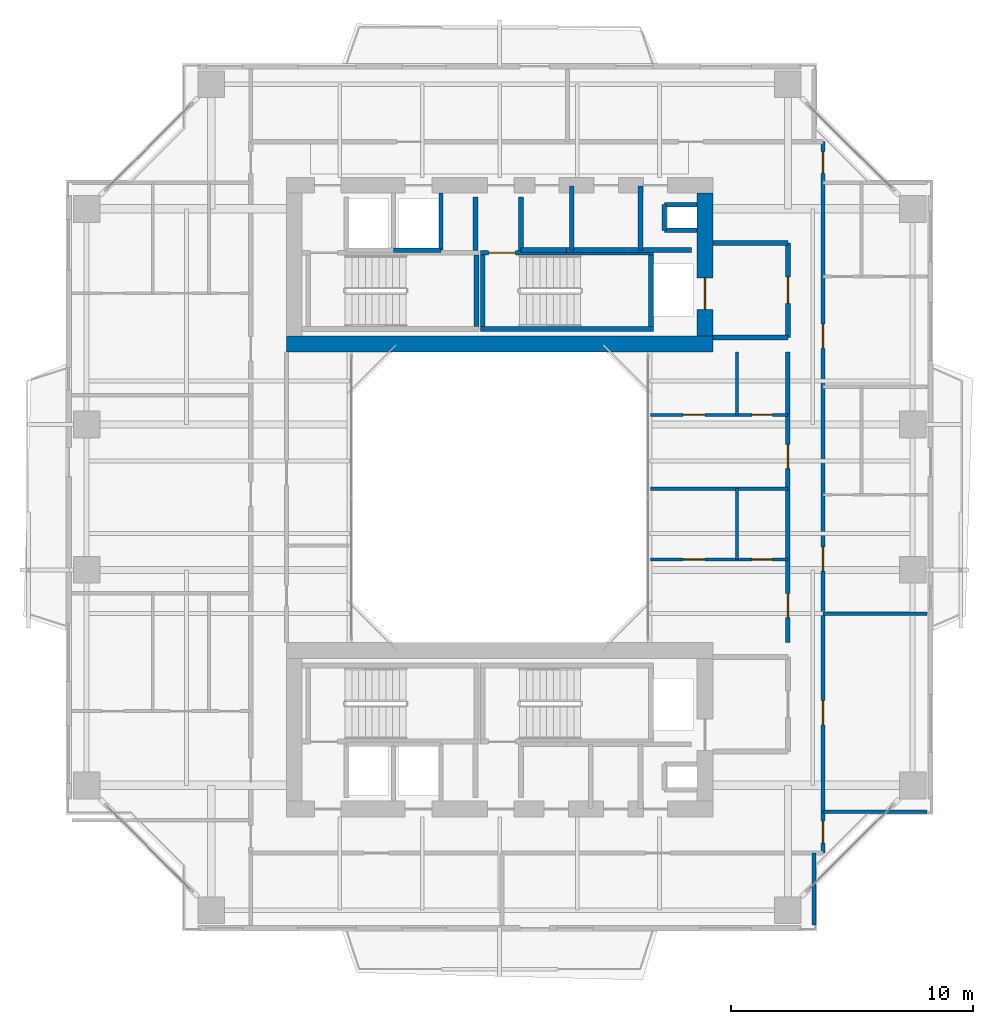
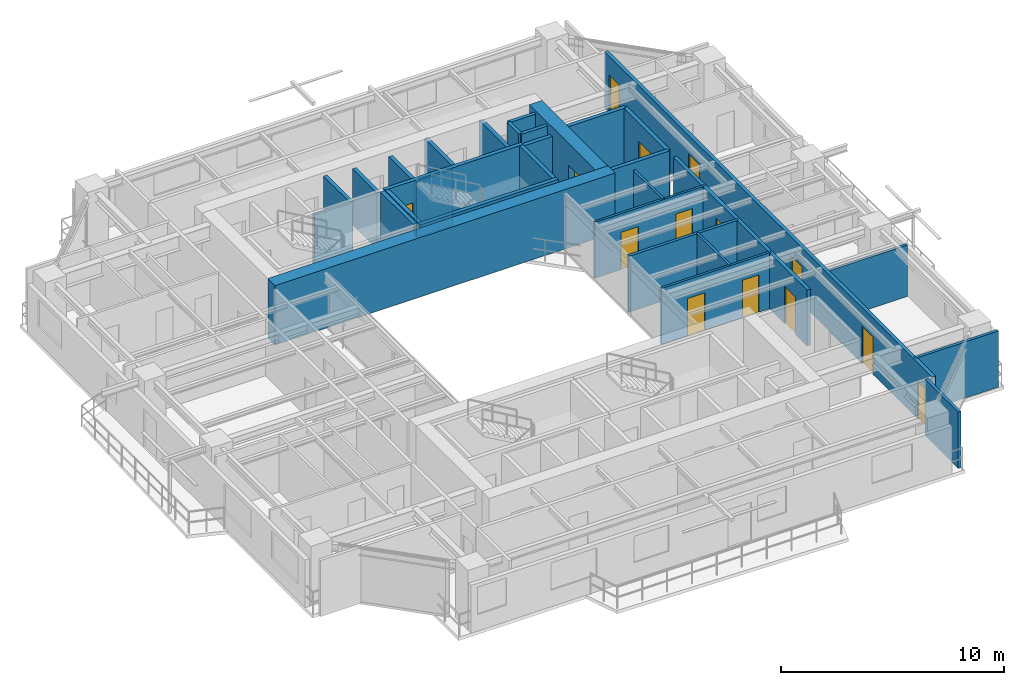
# One storey, part 12 of 17: 31 walls, 14 doors, 14 openings.
"""IFC4 building model written with IfcOpenShell, lengths in metres."""

import ifcopenshell
import ifcopenshell.guid

model = None  # the IFC model being written
_history = None  # IfcOwnerHistory: only IFC2X3 demands one
_inside = {}  # id of a spatial element -> (the spatial element, [elements in it])
_under = {}  # id of a project, library or spatial element -> (it, [spatial elements below it])
_declared = {}  # id of a project -> (the project, [libraries it declares])
_typed = {}  # id of a type object -> (the type object, [elements of that type])
_made_of = {}  # id of a material, layer set ... -> (it, [elements and type objects made of it])


def new_model(schema):
    """Start an empty IFC model of exactly this schema.

    Asked for "IFC4X3", IfcOpenShell would pick the latest addendum, in which some entities
    have other attributes; the version numbers below select the first issue.
    IFC2X3 requires an IfcOwnerHistory on every rooted entity: one is made here for all.
    """
    global model, _history
    if schema == "IFC4X3":
        model = ifcopenshell.file(schema_version=(4, 3, 0, 0))
    else:
        model = ifcopenshell.file(schema=schema)
    _inside.clear()
    _under.clear()
    _declared.clear()
    _typed.clear()
    _made_of.clear()
    _history = None
    if model.schema == "IFC2X3":
        org = make("IfcOrganization", Name="unknown")
        user = make(
            "IfcPersonAndOrganization",
            ThePerson=make("IfcPerson", FamilyName="unknown"),
            TheOrganization=org,
        )
        app = make(
            "IfcApplication",
            ApplicationDeveloper=org,
            Version="unknown",
            ApplicationFullName="unknown",
            ApplicationIdentifier="unknown",
        )
        _history = make(
            "IfcOwnerHistory",
            OwningUser=user,
            OwningApplication=app,
            ChangeAction="ADDED",
            CreationDate=0,
        )
    return model


def make(cls, **values):
    """One entity of the class cls with the attributes given. An attribute that is None is left unset."""
    return model.create_entity(
        cls, **{name: value for name, value in values.items() if value is not None}
    )


def rooted(cls, **values):
    """An entity with a GlobalId (a new one), such as an element, a storey or a relation."""
    return make(cls, GlobalId=ifcopenshell.guid.new(), OwnerHistory=_history, **values)


def si_unit(unit_type, name, prefix=None):
    """IfcSIUnit, for example si_unit("LENGTHUNIT", "METRE", prefix="MILLI")."""
    return make("IfcSIUnit", UnitType=unit_type, Prefix=prefix, Name=name)


def assignment(units):
    """IfcUnitAssignment: the units of a project."""
    return None if units is None else make("IfcUnitAssignment", Units=units)


def point(xyz):
    """IfcCartesianPoint."""
    return None if xyz is None else make("IfcCartesianPoint", Coordinates=xyz)


def direction(xyz):
    """IfcDirection."""
    return None if xyz is None else make("IfcDirection", DirectionRatios=xyz)


def frame(location, z_axis=None, x_axis=None):
    """IfcAxis2Placement3D, a coordinate frame: its origin and axes. An axis left out is left unset."""
    return make(
        "IfcAxis2Placement3D",
        Location=point(location),
        Axis=direction(z_axis),
        RefDirection=direction(x_axis),
    )


def frame_2d(location, x_axis=None):
    """IfcAxis2Placement2D, a coordinate frame in the plane: its origin and x axis."""
    return make(
        "IfcAxis2Placement2D", Location=point(location), RefDirection=direction(x_axis)
    )


def origin():
    """The frame at (0, 0, 0) with its axes left unset."""
    return frame((0.0, 0.0, 0.0))


def place(relative_to, where):
    """IfcLocalPlacement: puts the frame where relative to a parent placement (None: the world)."""
    return make(
        "IfcLocalPlacement", PlacementRelTo=relative_to, RelativePlacement=where
    )


def context(
    kind, dimensions, precision=None, world=None, true_north=None, identifier=None
):
    """IfcGeometricRepresentationContext, for example the 3D "Model" context."""
    return make(
        "IfcGeometricRepresentationContext",
        ContextIdentifier=identifier,
        ContextType=kind,
        CoordinateSpaceDimension=dimensions,
        Precision=precision,
        WorldCoordinateSystem=world,
        TrueNorth=true_north,
    )


def subcontext(parent, identifier, kind, view, scale=None):
    """IfcGeometricRepresentationSubContext, for example "Body" below "Model"."""
    return make(
        "IfcGeometricRepresentationSubContext",
        ContextIdentifier=identifier,
        ContextType=kind,
        ParentContext=parent,
        TargetScale=scale,
        TargetView=view,
    )


def project(units=None, contexts=None):
    """IfcProject with its units and contexts."""
    return rooted(
        "IfcProject",
        Name="project",
        RepresentationContexts=contexts,
        UnitsInContext=assignment(units),
    )


def spatial(cls, under=None, at=None, **own):
    """A site, building, storey or space (cls), placed at a placement, below another one or the project."""
    s = rooted(cls, ObjectPlacement=at, **own)
    if under is not None:
        _under.setdefault(under.id(), (under, []))[1].append(s)
    return s


def profile(cls, at=None, kind="AREA", **sizes):
    """A parametric profile (cls). Its sizes go by their IFC names, for example OverallWidth=200.0."""
    return make(cls, ProfileType=kind, Position=at, **sizes)


def rectangle(**sizes):
    """IfcRectangleProfileDef."""
    return profile("IfcRectangleProfileDef", **sizes)


def extrude(swept, where, along, depth):
    """IfcExtrudedAreaSolid: the profile swept, set in the frame where, extruded along a direction by depth."""
    return make(
        "IfcExtrudedAreaSolid",
        SweptArea=swept,
        Position=where,
        ExtrudedDirection=direction(along),
        Depth=depth,
    )


def shape(context_of_items, identifier, shape_type, items):
    """IfcShapeRepresentation: the items that make up one representation, for example the "Body"."""
    return make(
        "IfcShapeRepresentation",
        ContextOfItems=context_of_items,
        RepresentationIdentifier=identifier,
        RepresentationType=shape_type,
        Items=items,
    )


def source(mapping_origin, context_of_items, identifier, shape_type, items):
    """IfcRepresentationMap: a shape defined once, which mapped items show again and again."""
    return make(
        "IfcRepresentationMap",
        MappingOrigin=mapping_origin,
        MappedRepresentation=shape(context_of_items, identifier, shape_type, items),
    )


def transform(
    local_origin,
    x_axis=None,
    y_axis=None,
    z_axis=None,
    scale=None,
    scale2=None,
    scale3=None,
    uniform=True,
):
    """IfcCartesianTransformationOperator3D, or its non-uniform kind. x_axis, y_axis, z_axis: its Axis1, 2, 3."""
    if uniform:
        return make(
            "IfcCartesianTransformationOperator3D",
            Axis1=direction(x_axis),
            Axis2=direction(y_axis),
            LocalOrigin=point(local_origin),
            Scale=scale,
            Axis3=direction(z_axis),
        )
    return make(
        "IfcCartesianTransformationOperator3DnonUniform",
        Axis1=direction(x_axis),
        Axis2=direction(y_axis),
        LocalOrigin=point(local_origin),
        Scale=scale,
        Axis3=direction(z_axis),
        Scale2=scale2,
        Scale3=scale3,
    )


def mapped(mapping_source, mapping_target):
    """IfcMappedItem: shows the shape of a source again, moved by a transform."""
    return make(
        "IfcMappedItem", MappingSource=mapping_source, MappingTarget=mapping_target
    )


def material(Name=None, Category=None):
    """IfcMaterial."""
    return make("IfcMaterial", Name=Name, Category=Category)


def layer(
    of_material, thickness, ventilated=None, Name=None, Category=None, Priority=None
):
    """IfcMaterialLayer: one layer of a wall or slab, of a material (None: an air gap)."""
    return make(
        "IfcMaterialLayer",
        Material=of_material,
        LayerThickness=thickness,
        IsVentilated=ventilated,
        Name=Name,
        Category=Category,
        Priority=Priority,
    )


def layer_set(layers, Name=None):
    """IfcMaterialLayerSet."""
    return make("IfcMaterialLayerSet", MaterialLayers=layers, LayerSetName=Name)


def made_of(thing, what):
    """Note that an element or type object is made of a material, layer set ...; save() writes the relation."""
    if what is not None:
        _made_of.setdefault(what.id(), (what, []))[1].append(thing)
    return thing


def type_object(cls, material=None, **own):
    """A type object (cls), such as IfcWallType, which elements share."""
    return made_of(rooted(cls, **own), material)


def element(
    cls,
    number,
    at=None,
    inside=None,
    cuts=None,
    type_object=None,
    material=None,
    context=None,
    identifier="Body",
    shape_type=None,
    held_by="IfcProductDefinitionShape",
    body=None,
    shapes=None,
    **own,
):
    """One element of the class cls, such as IfcWall. Its Tag is "e" and its number.

    at: its placement. inside: the storey or other place that contains it. cuts: it is an
    opening in that element (IfcRelVoidsElement). A single representation is given by context,
    identifier, shape_type and body (its items); several are given by shapes. held_by: the class
    of the entity that holds the representations. save() writes the other relations.
    """
    e = rooted(cls, Tag="e%d" % number, ObjectPlacement=at, **own)
    if body is not None:
        shapes = [shape(context, identifier, shape_type, body)]
    if shapes is not None:
        e.Representation = make(held_by, Representations=shapes)
    if inside is not None:
        _inside.setdefault(inside.id(), (inside, []))[1].append(e)
    if cuts is not None:
        rooted(
            "IfcRelVoidsElement", RelatingBuildingElement=cuts, RelatedOpeningElement=e
        )
    if type_object is not None:
        _typed.setdefault(type_object.id(), (type_object, []))[1].append(e)
    return made_of(e, material)


def fill(opening, filler):
    """IfcRelFillsElement: the door or window that sits in an opening."""
    return rooted(
        "IfcRelFillsElement",
        RelatingOpeningElement=opening,
        RelatedBuildingElement=filler,
    )


def aggregate(whole, parts):
    """IfcRelAggregates: a whole, such as a stair, and the parts it consists of."""
    return rooted("IfcRelAggregates", RelatingObject=whole, RelatedObjects=parts)


def save(model, path):
    """Write the relations noted so far, then the file.

    IfcRelAggregates (storeys below a building ...), IfcRelContainedInSpatialStructure (elements
    in a storey), IfcRelDefinesByType, IfcRelAssociatesMaterial and IfcRelDeclares: one each for
    every whole, place, type object, material and project.
    """
    for whole, parts in _under.values():
        aggregate(whole, parts)
    for where, things in _inside.values():
        rooted(
            "IfcRelContainedInSpatialStructure",
            RelatedElements=things,
            RelatingStructure=where,
        )
    for kind, things in _typed.values():
        rooted("IfcRelDefinesByType", RelatedObjects=things, RelatingType=kind)
    for what, things in _made_of.values():
        rooted("IfcRelAssociatesMaterial", RelatedObjects=things, RelatingMaterial=what)
    for by, libraries in _declared.values():
        rooted("IfcRelDeclares", RelatingContext=by, RelatedDefinitions=libraries)
    model.write(path)


model = new_model("IFC4")

# Units and contexts
model_context = context("Model", 3, precision=1e-05, world=origin(), true_north=direction((0.0, 1.0)))
body_context = subcontext(model_context, "Body", "Model", "MODEL_VIEW")
ifc_project = project(units=[si_unit("LENGTHUNIT", "METRE"), si_unit("AREAUNIT", "SQUARE_METRE"), si_unit("VOLUMEUNIT", "CUBIC_METRE"), si_unit("PLANEANGLEUNIT", "RADIAN"), si_unit("MASSUNIT", "GRAM", prefix="KILO"), si_unit("THERMODYNAMICTEMPERATUREUNIT", "KELVIN"), si_unit("POWERUNIT", "WATT")], contexts=[model_context])

# Site, building, storey
site_placement = place(None, origin())
site = spatial("IfcSite", under=ifc_project, at=site_placement, CompositionType="ELEMENT")
building_placement = place(site_placement, origin())
building = spatial("IfcBuilding", under=site, at=building_placement, Name="Qiaomeng Ring Towers", CompositionType="ELEMENT")
storey_placement = place(building_placement, frame((0.0, 0.0, 129.5)))
storey = spatial("IfcBuildingStorey", under=building, at=storey_placement, Name="L37", CompositionType="ELEMENT", Elevation=129.5)

# Walls
ifc_material_1 = material(Name="Autoclaved aerated concrete block", Category="concrete")
ifc_layer_1 = layer(ifc_material_1, 0.199951171875, Name="Autoclaved aerated concrete block")
ifc_layer_set_1 = layer_set([ifc_layer_1], Name="Autoclaved aerated concrete block")
wall_type_1 = type_object("IfcWallType", Name="ARC-WL-PW1", PredefinedType="PARTITIONING", material=ifc_layer_set_1)
for number, where, z_axis, x_axis, name in (
    (1, (27.800048828125, 29.60009765625, 0.0), (0.0, 0.0, 1.0), (1.0, 0.0, 0.0), "L37 Interior Wall PW1"),
    (2, (27.800048828125, 33.5, 0.0), (0.0, 0.0, 1.0), (1.0, 0.0, 0.0), "L37 Interior Wall PW1"),
):
    element("IfcWall", number, at=place(storey_placement, frame(where, z_axis=z_axis, x_axis=x_axis)), inside=storey, type_object=wall_type_1, Name=name, PredefinedType="PARTITIONING", context=body_context, shape_type="SweptSolid", body=[
        extrude(rectangle(XDim=3.099853515625, YDim=0.199951171875, at=frame_2d((1.5498046875, 0.0))), origin(), (0.0, 0.0, 1.0), 3.070068359375),
    ])

# Wall, opening, door
wall_1_placement = place(storey_placement, frame((30.89990234375, 29.60009765625, 0.0), z_axis=(0.0, 0.0, 1.0), x_axis=(0.0, 1.0, 0.0)))
wall_1 = element("IfcWall", 3, at=wall_1_placement, inside=storey, type_object=wall_type_1, Name="L37 Interior Wall PW1", PredefinedType="PARTITIONING", context=body_context, shape_type="SweptSolid", body=[
    extrude(rectangle(XDim=3.89990234375, YDim=0.199951171875, at=frame_2d((1.949951171875, 0.0))), origin(), (0.0, 0.0, 1.0), 3.070068359375),
])
opening_1_placement = place(wall_1_placement, frame((1.39990234375, 0.0, 0.0)))
opening_1 = element("IfcOpeningElement", 4, at=opening_1_placement, cuts=wall_1, Name="Opening FD3", PredefinedType="OPENING", context=body_context, shape_type="SweptSolid", body=[
    extrude(rectangle(XDim=1.10009765625, YDim=2.050048828125, at=frame_2d((0.550048828125, 1.02490234375))), frame((0.0, 0.10986328125, 0.0), z_axis=(0.0, -1.0, 0.0), x_axis=(1.0, 0.0, 0.0)), (0.0, 0.0, 1.0), 0.219970703125),
])
ifc_material_2 = material(Name="Galvanised steel", Category="steel")
door_type_1 = type_object("IfcDoorType", Name="ARC-DR-FD3", OperationType="NOTDEFINED", PredefinedType="DOOR", material=ifc_material_2)
shared_shape_1 = source(origin(), body_context, "Body", "SweptSolid", [
    extrude(rectangle(XDim=1.10009765625, YDim=2.050048828125, at=frame_2d((0.550048828125, 1.02490234375))), frame((0.0, 0.02490234375, 0.0), z_axis=(0.0, -1.0, 0.0), x_axis=(1.0, 0.0, 0.0)), (0.0, 0.0, 1.0), 0.050048828125),
])
door_1_placement = place(opening_1_placement, origin())
door_1 = element("IfcDoor", 5, at=door_1_placement, inside=storey, type_object=door_type_1, Name="L37 North FF Lobby Door", OperationType="SINGLE_SWING_LEFT", OverallHeight=2.050048828125, OverallWidth=1.10009765625, PredefinedType="DOOR", context=body_context, shape_type="MappedRepresentation", body=[
    mapped(shared_shape_1, transform((0.0, 0.0, 0.0), x_axis=(1.0, 0.0, 0.0), y_axis=(0.0, 1.0, 0.0), z_axis=(0.0, 0.0, 1.0), scale=1.0)),
])
fill(opening_1, door_1)

# Walls
for number, where, z_axis, x_axis, name in (
    (6, (18.0, 33.18994140625, 0.0), (0.0, 0.0, 1.0), (0.0, 1.0, 0.0), "L37 Interior Wall PW1"),
    (7, (19.8798828125, 33.18994140625, 0.0), (0.0, 0.0, 1.0), (0.0, 1.0, 0.0), "L37 Interior Wall PW1"),
):
    element("IfcWall", number, at=place(storey_placement, frame(where, z_axis=z_axis, x_axis=x_axis)), inside=storey, type_object=wall_type_1, Name=name, PredefinedType="PARTITIONING", context=body_context, shape_type="SweptSolid", body=[
        extrude(rectangle(XDim=2.2099609375, YDim=0.199951171875, at=frame_2d((1.10498046875, 0.0))), origin(), (0.0, 0.0, 1.0), 3.070068359375),
    ])
wall_2_placement = place(storey_placement, frame((24.820068359375, 33.199951171875, 0.0), z_axis=(0.0, 0.0, 1.0), x_axis=(0.0, 1.0, 0.0)))
element("IfcWall", 8, at=wall_2_placement, inside=storey, type_object=wall_type_1, Name="L37 Interior Wall PW1", PredefinedType="PARTITIONING", context=body_context, shape_type="SweptSolid", body=[
    extrude(rectangle(XDim=2.650146484375, YDim=0.199951171875, at=frame_2d((1.3251953125, 0.0))), origin(), (0.0, 0.0, 1.0), 3.070068359375),
])
wall_3_placement = place(storey_placement, frame((19.8798828125, 33.199951171875, 0.0), z_axis=(0.0, 0.0, 1.0), x_axis=(1.0, 0.0, 0.0)))
element("IfcWall", 9, at=wall_3_placement, inside=storey, type_object=wall_type_1, Name="L37 Interior Wall PW1", PredefinedType="PARTITIONING", context=body_context, shape_type="SweptSolid", body=[
    extrude(rectangle(XDim=1.8701171875, YDim=0.199951171875, at=frame_2d((0.93505859375, 0.0))), origin(), (0.0, 0.0, 1.0), 3.070068359375),
])
wall_4_placement = place(storey_placement, frame((21.97998046875, 33.199951171875, 0.0), z_axis=(0.0, 0.0, 1.0), x_axis=(0.0, 1.0, 0.0)))
element("IfcWall", 10, at=wall_4_placement, inside=storey, type_object=wall_type_1, Name="L37 Interior Wall PW1", PredefinedType="PARTITIONING", context=body_context, shape_type="SweptSolid", body=[
    extrude(rectangle(XDim=2.650146484375, YDim=0.199951171875, at=frame_2d((1.3251953125, 0.0))), origin(), (0.0, 0.0, 1.0), 3.070068359375),
])
wall_5_placement = place(storey_placement, frame((21.75, 33.199951171875, 0.0), z_axis=(0.0, 0.0, 1.0), x_axis=(1.0, 0.0, 0.0)))
element("IfcWall", 11, at=wall_5_placement, inside=storey, type_object=wall_type_1, Name="L37 Interior Wall PW1", PredefinedType="PARTITIONING", context=body_context, shape_type="SweptSolid", body=[
    extrude(rectangle(XDim=5.169921875, YDim=0.199951171875, at=frame_2d((2.5849609375, 0.0))), origin(), (0.0, 0.0, 1.0), 3.070068359375),
])

# Wall, openings, doors
ifc_layer_2 = layer(ifc_material_1, 0.179931640625, Name="Autoclaved aerated concrete block")
ifc_layer_set_2 = layer_set([ifc_layer_2], Name="Autoclaved aerated concrete block")
wall_type_2 = type_object("IfcWallType", Name="ARC-WL-PW2", PredefinedType="PARTITIONING", material=ifc_layer_set_2)
wall_6_placement = place(storey_placement, frame((32.35009765625, 8.31005859375, 0.0), z_axis=(0.0, 0.0, 1.0), x_axis=(0.0, 1.0, 0.0)))
wall_6 = element("IfcWall", 12, at=wall_6_placement, inside=storey, type_object=wall_type_2, Name="L37 Interior Wall PW2", PredefinedType="PARTITIONING", context=body_context, shape_type="SweptSolid", body=[
    extrude(rectangle(XDim=29.369873046875, YDim=0.179931640625, at=frame_2d((14.68505859375, 0.0))), origin(), (0.0, 0.0, 1.0), 3.070068359375),
])
opening_2_placement = place(wall_6_placement, frame((28.06005859375, 0.0, 0.0)))
opening_2 = element("IfcOpeningElement", 13, at=opening_2_placement, cuts=wall_6, Name="Opening ID1", PredefinedType="OPENING", context=body_context, shape_type="SweptSolid", body=[
    extrude(rectangle(XDim=0.89990234375, YDim=2.050048828125, at=frame_2d((0.449951171875, 1.02490234375))), frame((0.0, 0.099853515625, 0.0), z_axis=(0.0, -1.0, 0.0), x_axis=(1.0, 0.0, 0.0)), (0.0, 0.0, 1.0), 0.199951171875),
])
opening_3_placement = place(wall_6_placement, frame((0.4150390625, 0.0, 0.0)))
opening_3 = element("IfcOpeningElement", 14, at=opening_3_placement, cuts=wall_6, Name="Opening ID1", PredefinedType="OPENING", context=body_context, shape_type="SweptSolid", body=[
    extrude(rectangle(XDim=0.89990234375, YDim=2.050048828125, at=frame_2d((0.449951171875, 1.02490234375))), frame((0.0, 0.099853515625, 0.0), z_axis=(0.0, -1.0, 0.0), x_axis=(1.0, 0.0, 0.0)), (0.0, 0.0, 1.0), 0.199951171875),
])
opening_4_placement = place(wall_6_placement, frame((5.294921875, 0.0, 0.0)))
opening_4 = element("IfcOpeningElement", 15, at=opening_4_placement, cuts=wall_6, Name="Opening FD4", PredefinedType="OPENING", context=body_context, shape_type="SweptSolid", body=[
    extrude(rectangle(XDim=1.0, YDim=2.050048828125, at=frame_2d((0.5, 1.02490234375))), frame((0.0, 0.099853515625, 0.0), z_axis=(0.0, -1.0, 0.0), x_axis=(1.0, 0.0, 0.0)), (0.0, 0.0, 1.0), 0.199951171875),
])
opening_5_placement = place(wall_6_placement, frame((11.64501953125, 0.0, 0.0)))
opening_5 = element("IfcOpeningElement", 16, at=opening_5_placement, cuts=wall_6, Name="Opening FD4", PredefinedType="OPENING", context=body_context, shape_type="SweptSolid", body=[
    extrude(rectangle(XDim=1.0, YDim=2.050048828125, at=frame_2d((0.5, 1.02490234375))), frame((0.0, 0.099853515625, 0.0), z_axis=(0.0, -1.0, 0.0), x_axis=(1.0, 0.0, 0.0)), (0.0, 0.0, 1.0), 0.199951171875),
])
opening_6_placement = place(wall_6_placement, frame((20.8349609375, 0.0, 0.0)))
opening_6 = element("IfcOpeningElement", 17, at=opening_6_placement, cuts=wall_6, Name="Opening FD4", PredefinedType="OPENING", context=body_context, shape_type="SweptSolid", body=[
    extrude(rectangle(XDim=1.0, YDim=2.050048828125, at=frame_2d((0.5, 1.02490234375))), frame((0.0, 0.099853515625, 0.0), z_axis=(0.0, -1.0, 0.0), x_axis=(1.0, 0.0, 0.0)), (0.0, 0.0, 1.0), 0.199951171875),
])
ifc_material_3 = material(Name="Engineered fire-rated oak timber", Category="wood")
door_type_2 = type_object("IfcDoorType", Name="ARC-DR-FD4", OperationType="NOTDEFINED", PredefinedType="DOOR", material=ifc_material_3)
shared_shape_2 = source(origin(), body_context, "Body", "SweptSolid", [
    extrude(rectangle(XDim=1.0, YDim=2.050048828125, at=frame_2d((0.5, 1.02490234375))), frame((0.0, 0.02490234375, 0.0), z_axis=(0.0, -1.0, 0.0), x_axis=(1.0, 0.0, 0.0)), (0.0, 0.0, 1.0), 0.050048828125),
])
door_2_placement = place(opening_4_placement, origin())
door_2 = element("IfcDoor", 18, at=door_2_placement, inside=storey, type_object=door_type_2, Name="L37 Door FD4", OperationType="SINGLE_SWING_RIGHT", OverallHeight=2.050048828125, OverallWidth=1.0, PredefinedType="DOOR", context=body_context, shape_type="MappedRepresentation", body=[
    mapped(shared_shape_2, transform((0.0, 0.0, 0.0), x_axis=(1.0, 0.0, 0.0), y_axis=(0.0, 1.0, 0.0), z_axis=(0.0, 0.0, 1.0), scale=1.0)),
])
fill(opening_4, door_2)
door_3_placement = place(opening_5_placement, origin())
door_3 = element("IfcDoor", 19, at=door_3_placement, inside=storey, type_object=door_type_2, Name="L37 Door FD4", OperationType="SINGLE_SWING_LEFT", OverallHeight=2.050048828125, OverallWidth=1.0, PredefinedType="DOOR", context=body_context, shape_type="MappedRepresentation", body=[
    mapped(shared_shape_2, transform((0.0, 0.0, 0.0), x_axis=(1.0, 0.0, 0.0), y_axis=(0.0, 1.0, 0.0), z_axis=(0.0, 0.0, 1.0), scale=1.0)),
])
fill(opening_5, door_3)
door_4_placement = place(opening_6_placement, origin())
door_4 = element("IfcDoor", 20, at=door_4_placement, inside=storey, type_object=door_type_2, Name="L37 Door FD4", OperationType="SINGLE_SWING_RIGHT", OverallHeight=2.050048828125, OverallWidth=1.0, PredefinedType="DOOR", context=body_context, shape_type="MappedRepresentation", body=[
    mapped(shared_shape_2, transform((0.0, 0.0, 0.0), x_axis=(1.0, 0.0, 0.0), y_axis=(0.0, 1.0, 0.0), z_axis=(0.0, 0.0, 1.0), scale=1.0)),
])
fill(opening_6, door_4)
ifc_material_4 = material(Name="Engineered oak timber", Category="wood")
door_type_3 = type_object("IfcDoorType", Name="ARC-DR-ID1", OperationType="NOTDEFINED", PredefinedType="DOOR", material=ifc_material_4)
shared_shape_3 = source(origin(), body_context, "Body", "SweptSolid", [
    extrude(rectangle(XDim=0.89990234375, YDim=2.050048828125, at=frame_2d((0.449951171875, 1.02490234375))), frame((0.0, 0.02490234375, 0.0), z_axis=(0.0, -1.0, 0.0), x_axis=(1.0, 0.0, 0.0)), (0.0, 0.0, 1.0), 0.050048828125),
])
door_5_placement = place(opening_2_placement, origin())
door_5 = element("IfcDoor", 21, at=door_5_placement, inside=storey, type_object=door_type_3, Name="L37 Door ID1", OperationType="SINGLE_SWING_RIGHT", OverallHeight=2.050048828125, OverallWidth=0.89990234375, PredefinedType="DOOR", context=body_context, shape_type="MappedRepresentation", body=[
    mapped(shared_shape_3, transform((0.0, 0.0, 0.0), x_axis=(1.0, 0.0, 0.0), y_axis=(0.0, 1.0, 0.0), z_axis=(0.0, 0.0, 1.0), scale=1.0)),
])
fill(opening_2, door_5)
door_6_placement = place(opening_3_placement, origin())
door_6 = element("IfcDoor", 22, at=door_6_placement, inside=storey, type_object=door_type_3, Name="L37 Door ID1", OperationType="SINGLE_SWING_LEFT", OverallHeight=2.050048828125, OverallWidth=0.89990234375, PredefinedType="DOOR", context=body_context, shape_type="MappedRepresentation", body=[
    mapped(shared_shape_3, transform((0.0, 0.0, 0.0), x_axis=(1.0, 0.0, 0.0), y_axis=(0.0, 1.0, 0.0), z_axis=(0.0, 0.0, 1.0), scale=1.0)),
])
fill(opening_3, door_6)

wall_7_placement = place(storey_placement, frame((30.89990234375, 17.0, 0.0), z_axis=(0.0, 0.0, 1.0), x_axis=(0.0, 1.0, 0.0)))
wall_7 = element("IfcWall", 23, at=wall_7_placement, inside=storey, type_object=wall_type_2, Name="L37 Interior Wall PW2", PredefinedType="PARTITIONING", context=body_context, shape_type="SweptSolid", body=[
    extrude(rectangle(XDim=12.0, YDim=0.179931640625, at=frame_2d((6.0, 0.0))), origin(), (0.0, 0.0, 1.0), 3.070068359375),
])
opening_7_placement = place(wall_7_placement, frame((1.02490234375, 0.0, 0.0)))
opening_7 = element("IfcOpeningElement", 24, at=opening_7_placement, cuts=wall_7, Name="Opening FD4", PredefinedType="OPENING", context=body_context, shape_type="SweptSolid", body=[
    extrude(rectangle(XDim=1.0, YDim=2.050048828125, at=frame_2d((0.5, 1.02490234375))), frame((0.0, 0.099853515625, 0.0), z_axis=(0.0, -1.0, 0.0), x_axis=(1.0, 0.0, 0.0)), (0.0, 0.0, 1.0), 0.199951171875),
])
opening_8_placement = place(wall_7_placement, frame((7.18505859375, 0.0, 0.0)))
opening_8 = element("IfcOpeningElement", 25, at=opening_8_placement, cuts=wall_7, Name="Opening FD4", PredefinedType="OPENING", context=body_context, shape_type="SweptSolid", body=[
    extrude(rectangle(XDim=1.0, YDim=2.050048828125, at=frame_2d((0.5, 1.02490234375))), frame((0.0, 0.099853515625, 0.0), z_axis=(0.0, -1.0, 0.0), x_axis=(1.0, 0.0, 0.0)), (0.0, 0.0, 1.0), 0.199951171875),
])
door_7_placement = place(opening_7_placement, origin())
door_7 = element("IfcDoor", 26, at=door_7_placement, inside=storey, type_object=door_type_2, Name="L37 Door FD4", OperationType="SINGLE_SWING_LEFT", OverallHeight=2.050048828125, OverallWidth=1.0, PredefinedType="DOOR", context=body_context, shape_type="MappedRepresentation", body=[
    mapped(shared_shape_2, transform((0.0, 0.0, 0.0), x_axis=(1.0, 0.0, 0.0), y_axis=(0.0, 1.0, 0.0), z_axis=(0.0, 0.0, 1.0), scale=1.0)),
])
fill(opening_7, door_7)
door_8_placement = place(opening_8_placement, origin())
door_8 = element("IfcDoor", 27, at=door_8_placement, inside=storey, type_object=door_type_2, Name="L37 Door FD4", OperationType="SINGLE_SWING_RIGHT", OverallHeight=2.050048828125, OverallWidth=1.0, PredefinedType="DOOR", context=body_context, shape_type="MappedRepresentation", body=[
    mapped(shared_shape_2, transform((0.0, 0.0, 0.0), x_axis=(1.0, 0.0, 0.0), y_axis=(0.0, 1.0, 0.0), z_axis=(0.0, 0.0, 1.0), scale=1.0)),
])
fill(opening_8, door_8)

# Walls
ifc_material_5 = material(Name="Gypsum fireboard steel-stud partition", Category="steel")
ifc_layer_3 = layer(ifc_material_5, 0.14990234375, Name="Gypsum fireboard steel-stud partition")
ifc_layer_set_3 = layer_set([ifc_layer_3], Name="Gypsum fireboard steel-stud partition")
wall_type_3 = type_object("IfcWallType", Name="ARC-WL-PW3", PredefinedType="PARTITIONING", material=ifc_layer_set_3)
wall_8_placement = place(storey_placement, frame((31.97998046875, 5.35009765625, 0.0), z_axis=(0.0, 0.0, 1.0), x_axis=(0.0, 1.0, 0.0)))
element("IfcWall", 28, at=wall_8_placement, inside=storey, type_object=wall_type_3, Name="L37 Interior Wall PW3", PredefinedType="PARTITIONING", context=body_context, shape_type="SweptSolid", body=[
    extrude(rectangle(XDim=2.9599609375, YDim=0.14990234375, at=frame_2d((1.47998046875, 0.0))), origin(), (0.0, 0.0, 1.0), 3.070068359375),
])
wall_9_placement = place(storey_placement, frame((32.35009765625, 10.02001953125, 0.0), z_axis=(0.0, 0.0, 1.0), x_axis=(1.0, 0.0, 0.0)))
element("IfcWall", 29, at=wall_9_placement, inside=storey, type_object=wall_type_3, Name="L37 Interior Wall PW3", PredefinedType="PARTITIONING", context=body_context, shape_type="SweptSolid", body=[
    extrude(rectangle(XDim=4.2998046875, YDim=0.14990234375, at=frame_2d((2.14990234375, 0.0))), origin(), (0.0, 0.0, 1.0), 3.070068359375),
])
wall_10_placement = place(storey_placement, frame((32.35009765625, 18.18994140625, 0.0), z_axis=(0.0, 0.0, 1.0), x_axis=(1.0, 0.0, 0.0)))
element("IfcWall", 30, at=wall_10_placement, inside=storey, type_object=wall_type_3, Name="L37 Interior Wall PW3", PredefinedType="PARTITIONING", context=body_context, shape_type="SweptSolid", body=[
    extrude(rectangle(XDim=4.2998046875, YDim=0.14990234375, at=frame_2d((2.14990234375, 0.0))), origin(), (0.0, 0.0, 1.0), 2.821044921875),
])
wall_11_placement = place(storey_placement, frame((25.219970703125, 23.35009765625, 0.0), z_axis=(0.0, 0.0, 1.0), x_axis=(1.0, 0.0, 0.0)))
element("IfcWall", 31, at=wall_11_placement, inside=storey, type_object=wall_type_3, Name="L37 Interior Wall PW3", PredefinedType="PARTITIONING", context=body_context, shape_type="SweptSolid", body=[
    extrude(rectangle(XDim=5.679931640625, YDim=0.14990234375, at=frame_2d((2.83984375, 0.0))), origin(), (0.0, 0.0, 1.0), 3.070068359375),
])

# Wall, openings, doors
ifc_material_6 = material(Name="Moisture-resistant gypsum steel-stud partition", Category="steel")
ifc_layer_4 = layer(ifc_material_6, 0.1201171875, Name="Moisture-resistant gypsum steel-stud partition")
ifc_layer_set_4 = layer_set([ifc_layer_4], Name="Moisture-resistant gypsum steel-stud partition")
wall_type_4 = type_object("IfcWallType", Name="ARC-WL-PW4", PredefinedType="PLUMBINGWALL", material=ifc_layer_set_4)
wall_12_placement = place(storey_placement, frame((25.219970703125, 20.429931640625, 0.0), z_axis=(0.0, 0.0, 1.0), x_axis=(1.0, 0.0, 0.0)))
wall_12 = element("IfcWall", 32, at=wall_12_placement, inside=storey, type_object=wall_type_4, Name="L37 Interior Wall PW4", PredefinedType="PLUMBINGWALL", context=body_context, shape_type="SweptSolid", body=[
    extrude(rectangle(XDim=5.679931640625, YDim=0.1201171875, at=frame_2d((2.83984375, 0.0))), origin(), (0.0, 0.0, 1.0), 3.070068359375),
])
opening_9_placement = place(wall_12_placement, frame((1.35009765625, 0.0, 0.0)))
opening_9 = element("IfcOpeningElement", 33, at=opening_9_placement, cuts=wall_12, Name="Opening ID1", PredefinedType="OPENING", context=body_context, shape_type="SweptSolid", body=[
    extrude(rectangle(XDim=0.89990234375, YDim=2.050048828125, at=frame_2d((0.449951171875, 1.02490234375))), frame((0.0, 0.070068359375, 0.0), z_axis=(0.0, -1.0, 0.0), x_axis=(1.0, 0.0, 0.0)), (0.0, 0.0, 1.0), 0.14013671875),
])
opening_10_placement = place(wall_12_placement, frame((4.195068359375, 0.0, 0.0)))
opening_10 = element("IfcOpeningElement", 34, at=opening_10_placement, cuts=wall_12, Name="Opening ID2", PredefinedType="OPENING", context=body_context, shape_type="SweptSolid", body=[
    extrude(rectangle(XDim=0.85009765625, YDim=2.050048828125, at=frame_2d((0.425048828125, 1.02490234375))), frame((0.0, 0.070068359375, 0.0), z_axis=(0.0, -1.0, 0.0), x_axis=(1.0, 0.0, 0.0)), (0.0, 0.0, 1.0), 0.14013671875),
])
ifc_material_7 = material(Name="Moisture-resistant engineered timber", Category="wood")
door_type_4 = type_object("IfcDoorType", Name="ARC-DR-ID2", OperationType="NOTDEFINED", PredefinedType="DOOR", material=ifc_material_7)
shared_shape_4 = source(origin(), body_context, "Body", "SweptSolid", [
    extrude(rectangle(XDim=0.85009765625, YDim=2.050048828125, at=frame_2d((0.425048828125, 1.02490234375))), frame((0.0, 0.02490234375, 0.0), z_axis=(0.0, -1.0, 0.0), x_axis=(1.0, 0.0, 0.0)), (0.0, 0.0, 1.0), 0.050048828125),
])
door_9_placement = place(opening_10_placement, origin())
door_9 = element("IfcDoor", 35, at=door_9_placement, inside=storey, type_object=door_type_4, Name="L37 Door ID2", OperationType="SINGLE_SWING_RIGHT", OverallHeight=2.050048828125, OverallWidth=0.85009765625, PredefinedType="DOOR", context=body_context, shape_type="MappedRepresentation", body=[
    mapped(shared_shape_4, transform((0.0, 0.0, 0.0), x_axis=(1.0, 0.0, 0.0), y_axis=(0.0, 1.0, 0.0), z_axis=(0.0, 0.0, 1.0), scale=1.0)),
])
fill(opening_10, door_9)
door_10_placement = place(opening_9_placement, origin())
door_10 = element("IfcDoor", 36, at=door_10_placement, inside=storey, type_object=door_type_3, Name="L37 Door ID1", OperationType="SINGLE_SWING_LEFT", OverallHeight=2.050048828125, OverallWidth=0.89990234375, PredefinedType="DOOR", context=body_context, shape_type="MappedRepresentation", body=[
    mapped(shared_shape_3, transform((0.0, 0.0, 0.0), x_axis=(1.0, 0.0, 0.0), y_axis=(0.0, 1.0, 0.0), z_axis=(0.0, 0.0, 1.0), scale=1.0)),
])
fill(opening_9, door_10)

# Wall
wall_13_placement = place(storey_placement, frame((28.800048828125, 20.429931640625, 0.0), z_axis=(0.0, 0.0, 1.0), x_axis=(0.0, 1.0, 0.0)))
element("IfcWall", 37, at=wall_13_placement, inside=storey, type_object=wall_type_4, Name="L37 Interior Wall PW4", PredefinedType="PLUMBINGWALL", context=body_context, shape_type="SweptSolid", body=[
    extrude(rectangle(XDim=2.920166015625, YDim=0.1201171875, at=frame_2d((1.4599609375, 0.0))), origin(), (0.0, 0.0, 1.0), 3.070068359375),
])

# Wall, openings, doors
wall_14_placement = place(storey_placement, frame((25.219970703125, 26.39990234375, 0.0), z_axis=(0.0, 0.0, 1.0), x_axis=(1.0, 0.0, 0.0)))
wall_14 = element("IfcWall", 38, at=wall_14_placement, inside=storey, type_object=wall_type_4, Name="L37 Interior Wall PW4", PredefinedType="PLUMBINGWALL", context=body_context, shape_type="SweptSolid", body=[
    extrude(rectangle(XDim=5.679931640625, YDim=0.1201171875, at=frame_2d((2.83984375, 0.0))), origin(), (0.0, 0.0, 1.0), 3.070068359375),
])
opening_11_placement = place(wall_14_placement, frame((1.35009765625, 0.0, 0.0)))
opening_11 = element("IfcOpeningElement", 39, at=opening_11_placement, cuts=wall_14, Name="Opening ID1", PredefinedType="OPENING", context=body_context, shape_type="SweptSolid", body=[
    extrude(rectangle(XDim=0.89990234375, YDim=2.050048828125, at=frame_2d((0.449951171875, 1.02490234375))), frame((0.0, 0.070068359375, 0.0), z_axis=(0.0, -1.0, 0.0), x_axis=(1.0, 0.0, 0.0)), (0.0, 0.0, 1.0), 0.14013671875),
])
opening_12_placement = place(wall_14_placement, frame((4.195068359375, 0.0, 0.0)))
opening_12 = element("IfcOpeningElement", 40, at=opening_12_placement, cuts=wall_14, Name="Opening ID2", PredefinedType="OPENING", context=body_context, shape_type="SweptSolid", body=[
    extrude(rectangle(XDim=0.85009765625, YDim=2.050048828125, at=frame_2d((0.425048828125, 1.02490234375))), frame((0.0, 0.070068359375, 0.0), z_axis=(0.0, -1.0, 0.0), x_axis=(1.0, 0.0, 0.0)), (0.0, 0.0, 1.0), 0.14013671875),
])
door_11_placement = place(opening_12_placement, origin())
door_11 = element("IfcDoor", 41, at=door_11_placement, inside=storey, type_object=door_type_4, Name="L37 Door ID2", OperationType="SINGLE_SWING_RIGHT", OverallHeight=2.050048828125, OverallWidth=0.85009765625, PredefinedType="DOOR", context=body_context, shape_type="MappedRepresentation", body=[
    mapped(shared_shape_4, transform((0.0, 0.0, 0.0), x_axis=(1.0, 0.0, 0.0), y_axis=(0.0, 1.0, 0.0), z_axis=(0.0, 0.0, 1.0), scale=1.0)),
])
fill(opening_12, door_11)
door_12_placement = place(opening_11_placement, origin())
door_12 = element("IfcDoor", 42, at=door_12_placement, inside=storey, type_object=door_type_3, Name="L37 Door ID1", OperationType="SINGLE_SWING_LEFT", OverallHeight=2.050048828125, OverallWidth=0.89990234375, PredefinedType="DOOR", context=body_context, shape_type="MappedRepresentation", body=[
    mapped(shared_shape_3, transform((0.0, 0.0, 0.0), x_axis=(1.0, 0.0, 0.0), y_axis=(0.0, 1.0, 0.0), z_axis=(0.0, 0.0, 1.0), scale=1.0)),
])
fill(opening_11, door_12)

# Walls
wall_15_placement = place(storey_placement, frame((28.800048828125, 26.39990234375, 0.0), z_axis=(0.0, 0.0, 1.0), x_axis=(0.0, 1.0, 0.0)))
element("IfcWall", 43, at=wall_15_placement, inside=storey, type_object=wall_type_4, Name="L37 Interior Wall PW4", PredefinedType="PLUMBINGWALL", context=body_context, shape_type="SweptSolid", body=[
    extrude(rectangle(XDim=2.60009765625, YDim=0.1201171875, at=frame_2d((1.300048828125, 0.0))), origin(), (0.0, 0.0, 1.0), 3.070068359375),
])
ifc_material_8 = material(Name="Concrete C40", Category="concrete")
ifc_layer_5 = layer(ifc_material_8, 0.199951171875, Name="Concrete C40")
ifc_layer_set_5 = layer_set([ifc_layer_5], Name="Concrete C40")
wall_type_5 = type_object("IfcWallType", Name="STR-WL-STSHAFT", PredefinedType="SHEAR", material=ifc_layer_set_5)
wall_16_placement = place(storey_placement, frame((25.800048828125, 34.02001953125, 0.0), z_axis=(0.0, 0.0, 1.0), x_axis=(0.0, 1.0, 0.0)))
element("IfcWall", 44, at=wall_16_placement, inside=storey, type_object=wall_type_5, Name="L37 Riser RSR1 West Shaft Wall N", PredefinedType="SHEAR", context=body_context, shape_type="SweptSolid", body=[
    extrude(rectangle(XDim=1.06005859375, YDim=0.179931640625, at=frame_2d((0.530029296875, 0.0))), origin(), (0.0, 0.0, 1.0), 3.070068359375),
])
for number, where, z_axis, x_axis, name in (
    (45, (25.800048828125, 35.080078125, 0.0), (0.0, 0.0, 1.0), (1.0, 0.0, 0.0), "L37 Riser RSR1 North Shaft Wall N"),
    (46, (25.800048828125, 34.02001953125, 0.0), (0.0, 0.0, 1.0), (1.0, 0.0, 0.0), "L37 Riser RSR1 South Shaft Wall N"),
):
    element("IfcWall", number, at=place(storey_placement, frame(where, z_axis=z_axis, x_axis=x_axis)), inside=storey, type_object=wall_type_5, Name=name, PredefinedType="SHEAR", context=body_context, shape_type="SweptSolid", body=[
        extrude(rectangle(XDim=1.349853515625, YDim=0.179931640625, at=frame_2d((0.6748046875, 0.0))), origin(), (0.0, 0.0, 1.0), 3.070068359375),
    ])
wall_17_placement = place(storey_placement, frame((14.6201171875, 33.199951171875, 0.0), z_axis=(0.0, 0.0, 1.0), x_axis=(1.0, 0.0, 0.0)))
element("IfcWall", 47, at=wall_17_placement, inside=storey, type_object=wall_type_5, Name="L37 Lift LP3 Shaft Back Wall", PredefinedType="SHEAR", context=body_context, shape_type="SweptSolid", body=[
    extrude(rectangle(XDim=1.9599609375, YDim=0.179931640625, at=frame_2d((0.97998046875, 0.0))), origin(), (0.0, 0.0, 1.0), 3.070068359375),
])
wall_18_placement = place(storey_placement, frame((16.580078125, 33.199951171875, 0.0), z_axis=(0.0, 0.0, 1.0), x_axis=(0.0, 1.0, 0.0)))
element("IfcWall", 48, at=wall_18_placement, inside=storey, type_object=wall_type_5, Name="L37 Lift LP3 East Shaft Wall", PredefinedType="SHEAR", context=body_context, shape_type="SweptSolid", body=[
    extrude(rectangle(XDim=2.35009765625, YDim=0.179931640625, at=frame_2d((1.175048828125, 0.0))), origin(), (0.0, 0.0, 1.0), 3.070068359375),
])
wall_19_placement = place(storey_placement, frame((18.050048828125, 30.050048828125, 0.0), z_axis=(0.0, 0.0, 1.0), x_axis=(0.0, 1.0, 0.0)))
element("IfcWall", 49, at=wall_19_placement, inside=storey, type_object=wall_type_5, Name="L37 Stair ST1 East Shaft Shear Wall", PredefinedType="SHEAR", context=body_context, shape_type="SweptSolid", body=[
    extrude(rectangle(XDim=2.93994140625, YDim=0.199951171875, at=frame_2d((1.469970703125, 0.0))), origin(), (0.0, 0.0, 1.0), 3.25),
])
wall_20_placement = place(storey_placement, frame((18.199951171875, 29.949951171875, 0.0), z_axis=(0.0, 0.0, 1.0), x_axis=(1.0, 0.0, 0.0)))
element("IfcWall", 50, at=wall_20_placement, inside=storey, type_object=wall_type_5, Name="L37 Stair ST2 South Shaft Shear Wall", PredefinedType="SHEAR", context=body_context, shape_type="SweptSolid", body=[
    extrude(rectangle(XDim=7.150146484375, YDim=0.199951171875, at=frame_2d((3.5751953125, 0.0))), origin(), (0.0, 0.0, 1.0), 3.25),
])

# Wall, opening, door
wall_21_placement = place(storey_placement, frame((18.199951171875, 33.090087890625, 0.0), z_axis=(0.0, 0.0, 1.0), x_axis=(1.0, 0.0, 0.0)))
wall_21 = element("IfcWall", 51, at=wall_21_placement, inside=storey, type_object=wall_type_5, Name="L37 Stair ST2 North Shaft Shear Wall", PredefinedType="SHEAR", context=body_context, shape_type="SweptSolid", body=[
    extrude(rectangle(XDim=7.150146484375, YDim=0.199951171875, at=frame_2d((3.5751953125, 0.0))), origin(), (0.0, 0.0, 1.0), 3.25),
])
opening_13_placement = place(wall_21_placement, frame((0.35009765625, 0.0, 0.0)))
opening_13 = element("IfcOpeningElement", 52, at=opening_13_placement, cuts=wall_21, Name="Opening FD3", PredefinedType="OPENING", context=body_context, shape_type="SweptSolid", body=[
    extrude(rectangle(XDim=1.10009765625, YDim=2.050048828125, at=frame_2d((0.550048828125, 1.02490234375))), frame((0.0, 0.10986328125, 0.0), z_axis=(0.0, -1.0, 0.0), x_axis=(1.0, 0.0, 0.0)), (0.0, 0.0, 1.0), 0.219970703125),
])
door_13_placement = place(opening_13_placement, origin())
door_13 = element("IfcDoor", 53, at=door_13_placement, inside=storey, type_object=door_type_1, Name="L37 Stair ST2 Exit Door", OperationType="SINGLE_SWING_RIGHT", OverallHeight=2.050048828125, OverallWidth=1.10009765625, PredefinedType="DOOR", context=body_context, shape_type="MappedRepresentation", body=[
    mapped(shared_shape_1, transform((0.0, 0.0, 0.0), x_axis=(1.0, 0.0, 0.0), y_axis=(0.0, 1.0, 0.0), z_axis=(0.0, 0.0, 1.0), scale=1.0)),
])
fill(opening_13, door_13)

# Walls
for number, where, z_axis, x_axis, name in (
    (54, (18.300048828125, 30.050048828125, 0.0), (0.0, 0.0, 1.0), (0.0, 1.0, 0.0), "L37 Stair ST2 West Shaft Shear Wall"),
    (55, (25.25, 30.050048828125, 0.0), (0.0, 0.0, 1.0), (0.0, 1.0, 0.0), "L37 Stair ST2 East Shaft Shear Wall"),
):
    element("IfcWall", number, at=place(storey_placement, frame(where, z_axis=z_axis, x_axis=x_axis)), inside=storey, type_object=wall_type_5, Name=name, PredefinedType="SHEAR", context=body_context, shape_type="SweptSolid", body=[
        extrude(rectangle(XDim=2.93994140625, YDim=0.199951171875, at=frame_2d((1.469970703125, 0.0))), origin(), (0.0, 0.0, 1.0), 3.25),
    ])
ifc_material_9 = material(Name="Concrete C55", Category="concrete")
ifc_layer_6 = layer(ifc_material_9, 0.64990234375, Name="Concrete C55")
ifc_layer_set_6 = layer_set([ifc_layer_6], Name="Concrete C55")
wall_type_6 = type_object("IfcWallType", Name="STR-WL-SW2A", PredefinedType="SHEAR", material=ifc_layer_set_6)
wall_22_placement = place(storey_placement, frame((10.199951171875, 29.324951171875, 0.0), z_axis=(0.0, 0.0, 1.0), x_axis=(1.0, 0.0, 0.0)))
element("IfcWall", 56, at=wall_22_placement, inside=storey, type_object=wall_type_6, Name="L37 T1NC south core shear wall", PredefinedType="SHEAR", context=body_context, shape_type="SweptSolid", body=[
    extrude(rectangle(XDim=17.60009765625, YDim=0.64990234375, at=frame_2d((8.800048828125, 0.0))), origin(), (0.0, 0.0, 1.0), 3.25),
])

# Wall, opening, door
wall_23_placement = place(storey_placement, frame((27.47509765625, 29.64990234375, 0.0), z_axis=(0.0, 0.0, 1.0), x_axis=(0.0, 1.0, 0.0)))
wall_23 = element("IfcWall", 57, at=wall_23_placement, inside=storey, type_object=wall_type_6, Name="L37 T1NC east core shear wall", PredefinedType="SHEAR", context=body_context, shape_type="SweptSolid", body=[
    extrude(rectangle(XDim=5.900146484375, YDim=0.64990234375, at=frame_2d((2.9501953125, 0.0))), origin(), (0.0, 0.0, 1.0), 3.25),
])
opening_14_placement = place(wall_23_placement, frame((1.10009765625, 0.0, 0.0)))
opening_14 = element("IfcOpeningElement", 58, at=opening_14_placement, cuts=wall_23, Name="Opening LD2", PredefinedType="OPENING", context=body_context, shape_type="SweptSolid", body=[
    extrude(rectangle(XDim=1.300048828125, YDim=2.050048828125, at=frame_2d((0.64990234375, 1.02490234375))), frame((0.0, 0.3349609375, 0.0), z_axis=(0.0, -1.0, 0.0), x_axis=(1.0, 0.0, 0.0)), (0.0, 0.0, 1.0), 0.669921875),
])
ifc_material_10 = material(Name="Stainless steel 316", Category="steel")
door_type_5 = type_object("IfcDoorType", Name="ARC-DR-LD2", OperationType="NOTDEFINED", PredefinedType="DOOR", material=ifc_material_10)
shared_shape_5 = source(origin(), body_context, "Body", "SweptSolid", [
    extrude(rectangle(XDim=1.300048828125, YDim=2.050048828125, at=frame_2d((0.64990234375, 1.02490234375))), frame((0.0, 0.02490234375, 0.0), z_axis=(0.0, -1.0, 0.0), x_axis=(1.0, 0.0, 0.0)), (0.0, 0.0, 1.0), 0.050048828125),
])
door_14_placement = place(opening_14_placement, origin())
door_14 = element("IfcDoor", 59, at=door_14_placement, inside=storey, type_object=door_type_5, Name="L37 Firefighting Lift FL1 Landing Door", OperationType="SLIDING_TO_LEFT", OverallHeight=2.050048828125, OverallWidth=1.300048828125, PredefinedType="DOOR", context=body_context, shape_type="MappedRepresentation", body=[
    mapped(shared_shape_5, transform((0.0, 0.0, 0.0), x_axis=(1.0, 0.0, 0.0), y_axis=(0.0, 1.0, 0.0), z_axis=(0.0, 0.0, 1.0), scale=1.0)),
])
fill(opening_14, door_14)

save(model, "model.ifc")
